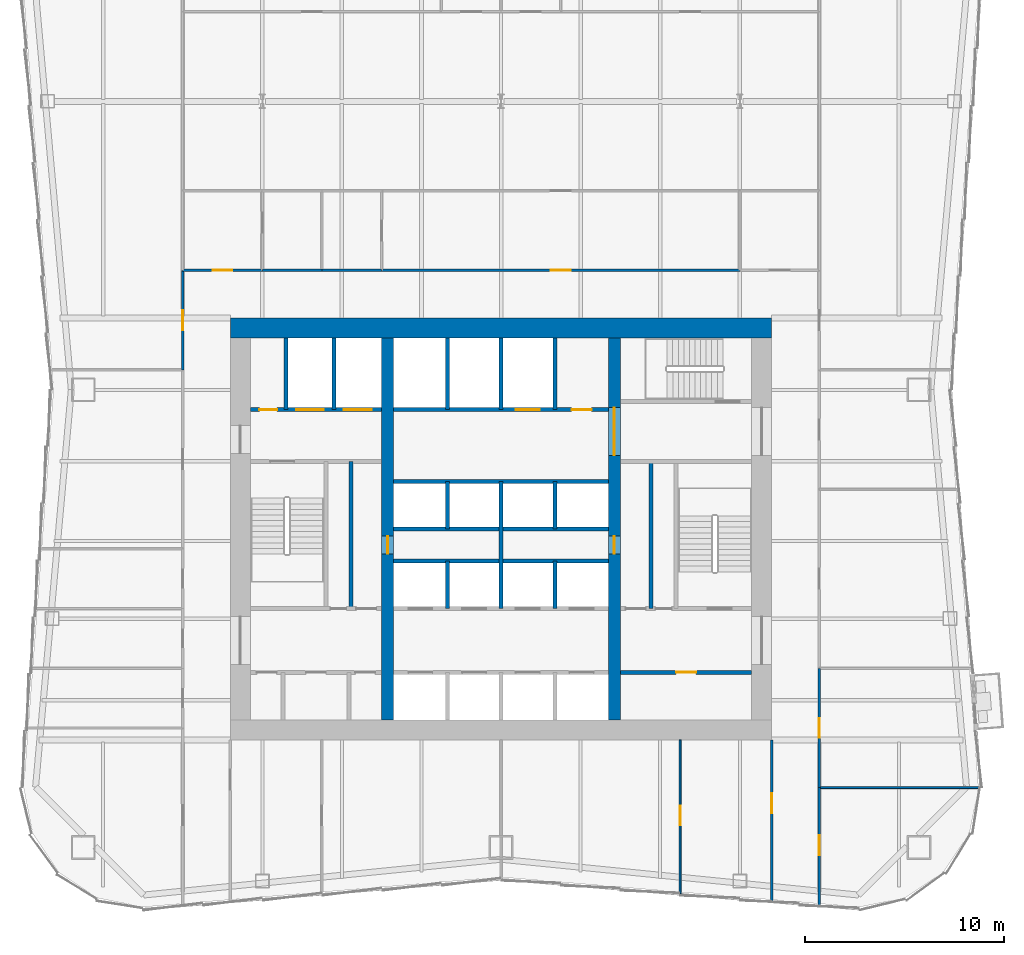
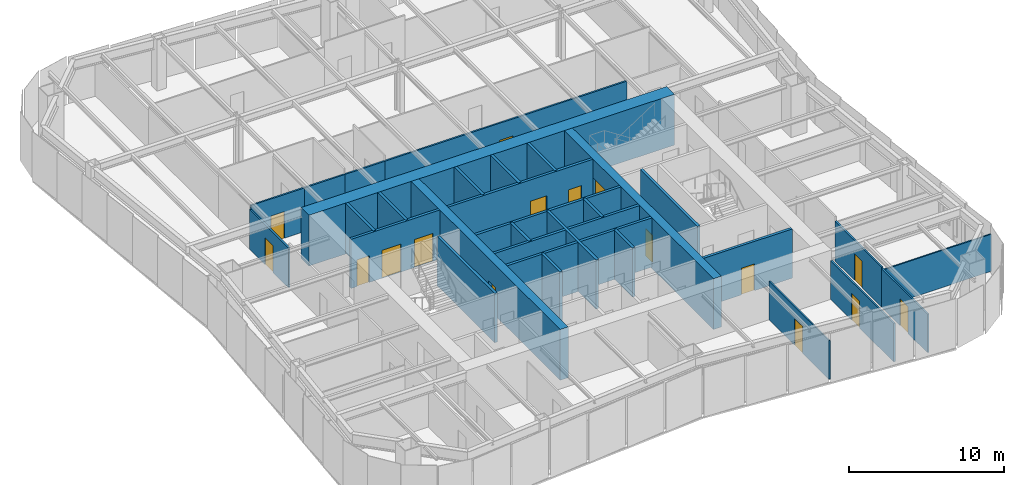
# One storey, part 5 of 9: 31 walls, 16 doors, 16 openings.
"""IFC4 building model written with IfcOpenShell, lengths in metres."""

import ifcopenshell
import ifcopenshell.guid

model = None  # the IFC model being written
_history = None  # IfcOwnerHistory: only IFC2X3 demands one
_inside = {}  # id of a spatial element -> (the spatial element, [elements in it])
_under = {}  # id of a project, library or spatial element -> (it, [spatial elements below it])
_declared = {}  # id of a project -> (the project, [libraries it declares])
_typed = {}  # id of a type object -> (the type object, [elements of that type])
_made_of = {}  # id of a material, layer set ... -> (it, [elements and type objects made of it])


def new_model(schema):
    """Start an empty IFC model of exactly this schema.

    Asked for "IFC4X3", IfcOpenShell would pick the latest addendum, in which some entities
    have other attributes; the version numbers below select the first issue.
    IFC2X3 requires an IfcOwnerHistory on every rooted entity: one is made here for all.
    """
    global model, _history
    if schema == "IFC4X3":
        model = ifcopenshell.file(schema_version=(4, 3, 0, 0))
    else:
        model = ifcopenshell.file(schema=schema)
    _inside.clear()
    _under.clear()
    _declared.clear()
    _typed.clear()
    _made_of.clear()
    _history = None
    if model.schema == "IFC2X3":
        org = make("IfcOrganization", Name="unknown")
        user = make(
            "IfcPersonAndOrganization",
            ThePerson=make("IfcPerson", FamilyName="unknown"),
            TheOrganization=org,
        )
        app = make(
            "IfcApplication",
            ApplicationDeveloper=org,
            Version="unknown",
            ApplicationFullName="unknown",
            ApplicationIdentifier="unknown",
        )
        _history = make(
            "IfcOwnerHistory",
            OwningUser=user,
            OwningApplication=app,
            ChangeAction="ADDED",
            CreationDate=0,
        )
    return model


def make(cls, **values):
    """One entity of the class cls with the attributes given. An attribute that is None is left unset."""
    return model.create_entity(
        cls, **{name: value for name, value in values.items() if value is not None}
    )


def rooted(cls, **values):
    """An entity with a GlobalId (a new one), such as an element, a storey or a relation."""
    return make(cls, GlobalId=ifcopenshell.guid.new(), OwnerHistory=_history, **values)


def si_unit(unit_type, name, prefix=None):
    """IfcSIUnit, for example si_unit("LENGTHUNIT", "METRE", prefix="MILLI")."""
    return make("IfcSIUnit", UnitType=unit_type, Prefix=prefix, Name=name)


def assignment(units):
    """IfcUnitAssignment: the units of a project."""
    return None if units is None else make("IfcUnitAssignment", Units=units)


def point(xyz):
    """IfcCartesianPoint."""
    return None if xyz is None else make("IfcCartesianPoint", Coordinates=xyz)


def direction(xyz):
    """IfcDirection."""
    return None if xyz is None else make("IfcDirection", DirectionRatios=xyz)


def frame(location, z_axis=None, x_axis=None):
    """IfcAxis2Placement3D, a coordinate frame: its origin and axes. An axis left out is left unset."""
    return make(
        "IfcAxis2Placement3D",
        Location=point(location),
        Axis=direction(z_axis),
        RefDirection=direction(x_axis),
    )


def frame_2d(location, x_axis=None):
    """IfcAxis2Placement2D, a coordinate frame in the plane: its origin and x axis."""
    return make(
        "IfcAxis2Placement2D", Location=point(location), RefDirection=direction(x_axis)
    )


def origin():
    """The frame at (0, 0, 0) with its axes left unset."""
    return frame((0.0, 0.0, 0.0))


def place(relative_to, where):
    """IfcLocalPlacement: puts the frame where relative to a parent placement (None: the world)."""
    return make(
        "IfcLocalPlacement", PlacementRelTo=relative_to, RelativePlacement=where
    )


def context(
    kind, dimensions, precision=None, world=None, true_north=None, identifier=None
):
    """IfcGeometricRepresentationContext, for example the 3D "Model" context."""
    return make(
        "IfcGeometricRepresentationContext",
        ContextIdentifier=identifier,
        ContextType=kind,
        CoordinateSpaceDimension=dimensions,
        Precision=precision,
        WorldCoordinateSystem=world,
        TrueNorth=true_north,
    )


def subcontext(parent, identifier, kind, view, scale=None):
    """IfcGeometricRepresentationSubContext, for example "Body" below "Model"."""
    return make(
        "IfcGeometricRepresentationSubContext",
        ContextIdentifier=identifier,
        ContextType=kind,
        ParentContext=parent,
        TargetScale=scale,
        TargetView=view,
    )


def project(units=None, contexts=None):
    """IfcProject with its units and contexts."""
    return rooted(
        "IfcProject",
        Name="project",
        RepresentationContexts=contexts,
        UnitsInContext=assignment(units),
    )


def spatial(cls, under=None, at=None, **own):
    """A site, building, storey or space (cls), placed at a placement, below another one or the project."""
    s = rooted(cls, ObjectPlacement=at, **own)
    if under is not None:
        _under.setdefault(under.id(), (under, []))[1].append(s)
    return s


def profile(cls, at=None, kind="AREA", **sizes):
    """A parametric profile (cls). Its sizes go by their IFC names, for example OverallWidth=200.0."""
    return make(cls, ProfileType=kind, Position=at, **sizes)


def rectangle(**sizes):
    """IfcRectangleProfileDef."""
    return profile("IfcRectangleProfileDef", **sizes)


def extrude(swept, where, along, depth):
    """IfcExtrudedAreaSolid: the profile swept, set in the frame where, extruded along a direction by depth."""
    return make(
        "IfcExtrudedAreaSolid",
        SweptArea=swept,
        Position=where,
        ExtrudedDirection=direction(along),
        Depth=depth,
    )


def shape(context_of_items, identifier, shape_type, items):
    """IfcShapeRepresentation: the items that make up one representation, for example the "Body"."""
    return make(
        "IfcShapeRepresentation",
        ContextOfItems=context_of_items,
        RepresentationIdentifier=identifier,
        RepresentationType=shape_type,
        Items=items,
    )


def material(Name=None, Category=None):
    """IfcMaterial."""
    return make("IfcMaterial", Name=Name, Category=Category)


def layer(
    of_material, thickness, ventilated=None, Name=None, Category=None, Priority=None
):
    """IfcMaterialLayer: one layer of a wall or slab, of a material (None: an air gap)."""
    return make(
        "IfcMaterialLayer",
        Material=of_material,
        LayerThickness=thickness,
        IsVentilated=ventilated,
        Name=Name,
        Category=Category,
        Priority=Priority,
    )


def layer_set(layers, Name=None):
    """IfcMaterialLayerSet."""
    return make("IfcMaterialLayerSet", MaterialLayers=layers, LayerSetName=Name)


def made_of(thing, what):
    """Note that an element or type object is made of a material, layer set ...; save() writes the relation."""
    if what is not None:
        _made_of.setdefault(what.id(), (what, []))[1].append(thing)
    return thing


def type_object(cls, material=None, **own):
    """A type object (cls), such as IfcWallType, which elements share."""
    return made_of(rooted(cls, **own), material)


def element(
    cls,
    number,
    at=None,
    inside=None,
    cuts=None,
    type_object=None,
    material=None,
    context=None,
    identifier="Body",
    shape_type=None,
    held_by="IfcProductDefinitionShape",
    body=None,
    shapes=None,
    **own,
):
    """One element of the class cls, such as IfcWall. Its Tag is "e" and its number.

    at: its placement. inside: the storey or other place that contains it. cuts: it is an
    opening in that element (IfcRelVoidsElement). A single representation is given by context,
    identifier, shape_type and body (its items); several are given by shapes. held_by: the class
    of the entity that holds the representations. save() writes the other relations.
    """
    e = rooted(cls, Tag="e%d" % number, ObjectPlacement=at, **own)
    if body is not None:
        shapes = [shape(context, identifier, shape_type, body)]
    if shapes is not None:
        e.Representation = make(held_by, Representations=shapes)
    if inside is not None:
        _inside.setdefault(inside.id(), (inside, []))[1].append(e)
    if cuts is not None:
        rooted(
            "IfcRelVoidsElement", RelatingBuildingElement=cuts, RelatedOpeningElement=e
        )
    if type_object is not None:
        _typed.setdefault(type_object.id(), (type_object, []))[1].append(e)
    return made_of(e, material)


def fill(opening, filler):
    """IfcRelFillsElement: the door or window that sits in an opening."""
    return rooted(
        "IfcRelFillsElement",
        RelatingOpeningElement=opening,
        RelatedBuildingElement=filler,
    )


def aggregate(whole, parts):
    """IfcRelAggregates: a whole, such as a stair, and the parts it consists of."""
    return rooted("IfcRelAggregates", RelatingObject=whole, RelatedObjects=parts)


def save(model, path):
    """Write the relations noted so far, then the file.

    IfcRelAggregates (storeys below a building ...), IfcRelContainedInSpatialStructure (elements
    in a storey), IfcRelDefinesByType, IfcRelAssociatesMaterial and IfcRelDeclares: one each for
    every whole, place, type object, material and project.
    """
    for whole, parts in _under.values():
        aggregate(whole, parts)
    for where, things in _inside.values():
        rooted(
            "IfcRelContainedInSpatialStructure",
            RelatedElements=things,
            RelatingStructure=where,
        )
    for kind, things in _typed.values():
        rooted("IfcRelDefinesByType", RelatedObjects=things, RelatingType=kind)
    for what, things in _made_of.values():
        rooted("IfcRelAssociatesMaterial", RelatedObjects=things, RelatingMaterial=what)
    for by, libraries in _declared.values():
        rooted("IfcRelDeclares", RelatingContext=by, RelatedDefinitions=libraries)
    model.write(path)


model = new_model("IFC4")

# Units and contexts
model_context = context("Model", 3, precision=1e-05, world=origin(), true_north=direction((0.0, 1.0)))
body_context = subcontext(model_context, "Body", "Model", "MODEL_VIEW")
ifc_project = project(units=[si_unit("LENGTHUNIT", "METRE"), si_unit("AREAUNIT", "SQUARE_METRE"), si_unit("VOLUMEUNIT", "CUBIC_METRE"), si_unit("PLANEANGLEUNIT", "RADIAN"), si_unit("MASSUNIT", "GRAM", prefix="KILO")], contexts=[model_context])

# Site, building, storey
site_placement = place(None, origin())
site = spatial("IfcSite", under=ifc_project, at=site_placement, CompositionType="ELEMENT")
building_placement = place(site_placement, origin())
building = spatial("IfcBuilding", under=site, at=building_placement, Name="Verdant Reach Tower", CompositionType="ELEMENT")
storey_placement = place(building_placement, frame((0.0, 0.0, 130.0)))
storey = spatial("IfcBuildingStorey", under=building, at=storey_placement, Name="L29", CompositionType="ELEMENT", Elevation=130.0)

# Wall, opening, door
ifc_material_1 = material(Name="Gypsum board on steel studs", Category="steel")
ifc_layer_1 = layer(ifc_material_1, 0.199951171875)
ifc_layer_set_1 = layer_set([ifc_layer_1], Name="CO-WALL-ROOM")
wall_type_1 = type_object("IfcWallType", Name="CO-WALL-ROOM", PredefinedType="PARTITIONING", material=ifc_layer_set_1)
wall_1_placement = place(storey_placement, frame((6.0, 20.800048828125, 0.0), z_axis=(0.0, 0.0, 1.0), x_axis=(1.0, 0.0, 0.0)))
wall_1 = element("IfcWall", 1, at=wall_1_placement, inside=storey, type_object=wall_type_1, Name="Core partition, L29", PredefinedType="PARTITIONING", context=body_context, shape_type="SweptSolid", body=[
    extrude(rectangle(XDim=6.60009765625, YDim=0.199951171875, at=frame_2d((3.300048828125, 0.0))), origin(), (0.0, 0.0, 1.0), 3.8701171875),
])
opening_1_placement = place(wall_1_placement, frame((2.800048828125, 0.0, 0.0)))
opening_1 = element("IfcOpeningElement", 2, at=opening_1_placement, cuts=wall_1, Name="Opening CD", PredefinedType="OPENING", context=body_context, shape_type="SweptSolid", body=[
    extrude(rectangle(XDim=1.0, YDim=2.10009765625, at=frame_2d((0.5, 1.050048828125))), frame((0.0, 0.10986328125, 0.0), z_axis=(0.0, -1.0, 0.0), x_axis=(1.0, 0.0, 0.0)), (0.0, 0.0, 1.0), 0.219970703125),
])
ifc_material_2 = material(Name="Timber", Category="wood")
door_type_1 = type_object("IfcDoorType", Name="CO-DOOR-ROOM", OperationType="NOTDEFINED", PredefinedType="DOOR", material=ifc_material_2)
door_1_placement = place(opening_1_placement, origin())
door_1 = element("IfcDoor", 3, at=door_1_placement, inside=storey, type_object=door_type_1, Name="Core room door, L29", OperationType="SINGLE_SWING_RIGHT", OverallHeight=2.10009765625, OverallWidth=1.0, PredefinedType="DOOR", context=body_context, shape_type="SweptSolid", body=[
    extrude(rectangle(XDim=1.0, YDim=2.10009765625, at=frame_2d((0.5, 1.050048828125))), frame((0.0, 0.02490234375, 0.0), z_axis=(0.0, -1.0, 0.0), x_axis=(1.0, 0.0, 0.0)), (0.0, 0.0, 1.0), 0.050048828125),
])
fill(opening_1, door_1)

# Walls
for number, where, z_axis, x_axis, name in (
    (4, (-7.5400390625, 24.0, 0.0), (0.0, 0.0, 1.0), (0.0, 1.0, 0.0), "Core partition, L29"),
    (5, (7.5400390625, 24.0, 0.0), (0.0, 0.0, 1.0), (0.0, 1.0, 0.0), "Core partition, L29"),
):
    element("IfcWall", number, at=place(storey_placement, frame(where, z_axis=z_axis, x_axis=x_axis)), inside=storey, type_object=wall_type_1, Name=name, PredefinedType="PARTITIONING", context=body_context, shape_type="SweptSolid", body=[
        extrude(rectangle(XDim=7.39990234375, YDim=0.199951171875, at=frame_2d((3.699951171875, 0.0))), origin(), (0.0, 0.0, 1.0), 3.8701171875),
    ])
ifc_material_3 = material(Name="Concrete C40/50", Category="concrete")
ifc_layer_2 = layer(ifc_material_3, 0.199951171875)
ifc_layer_set_2 = layer_set([ifc_layer_2], Name="CO-WALL-SHAFT")
wall_type_2 = type_object("IfcWallType", Name="CO-WALL-SHAFT", PredefinedType="PARTITIONING", material=ifc_layer_set_2)
for number, where, z_axis, x_axis, name in (
    (6, (-5.39990234375, 26.39990234375, 0.0), (0.0, 0.0, 1.0), (1.0, 0.0, 0.0), "Lift shaft wall, L29"),
    (7, (-5.39990234375, 28.0, 0.0), (0.0, 0.0, 1.0), (1.0, 0.0, 0.0), "Lift shaft wall, L29"),
    (8, (-5.39990234375, 30.39990234375, 0.0), (0.0, 0.0, 1.0), (1.0, 0.0, 0.0), "Lift shaft wall, L29"),
):
    element("IfcWall", number, at=place(storey_placement, frame(where, z_axis=z_axis, x_axis=x_axis)), inside=storey, type_object=wall_type_2, Name=name, PredefinedType="PARTITIONING", context=body_context, shape_type="SweptSolid", body=[
        extrude(rectangle(XDim=10.7998046875, YDim=0.199951171875, at=frame_2d((5.39990234375, 0.0))), origin(), (0.0, 0.0, 1.0), 3.8701171875),
    ])

# Wall, openings, doors
wall_2_placement = place(storey_placement, frame((-12.60009765625, 34.0, 0.0), z_axis=(0.0, 0.0, 1.0), x_axis=(1.0, 0.0, 0.0)))
wall_2 = element("IfcWall", 9, at=wall_2_placement, inside=storey, type_object=wall_type_2, Name="Lift shaft wall, L29", PredefinedType="PARTITIONING", context=body_context, shape_type="SweptSolid", body=[
    extrude(rectangle(XDim=6.60009765625, YDim=0.199951171875, at=frame_2d((3.300048828125, 0.0))), origin(), (0.0, 0.0, 1.0), 3.8701171875),
])
opening_2_placement = place(wall_2_placement, frame((4.699951171875, 0.0, 0.0)))
opening_2 = element("IfcOpeningElement", 10, at=opening_2_placement, cuts=wall_2, Name="Opening LD-F1", PredefinedType="OPENING", context=body_context, shape_type="SweptSolid", body=[
    extrude(rectangle(XDim=1.39990234375, YDim=2.199951171875, at=frame_2d((0.699951171875, 1.10009765625))), frame((0.0, 0.10986328125, 0.0), z_axis=(0.0, -1.0, 0.0), x_axis=(1.0, 0.0, 0.0)), (0.0, 0.0, 1.0), 0.219970703125),
])
opening_3_placement = place(wall_2_placement, frame((2.300048828125, 0.0, 0.0)))
opening_3 = element("IfcOpeningElement", 11, at=opening_3_placement, cuts=wall_2, Name="Opening LD-F2", PredefinedType="OPENING", context=body_context, shape_type="SweptSolid", body=[
    extrude(rectangle(XDim=1.39990234375, YDim=2.199951171875, at=frame_2d((0.699951171875, 1.10009765625))), frame((0.0, 0.10986328125, 0.0), z_axis=(0.0, -1.0, 0.0), x_axis=(1.0, 0.0, 0.0)), (0.0, 0.0, 1.0), 0.219970703125),
])
opening_4_placement = place(wall_2_placement, frame((0.449951171875, 0.0, 0.0)))
opening_4 = element("IfcOpeningElement", 12, at=opening_4_placement, cuts=wall_2, Name="Opening RD", PredefinedType="OPENING", context=body_context, shape_type="SweptSolid", body=[
    extrude(rectangle(XDim=0.89990234375, YDim=2.10009765625, at=frame_2d((0.449951171875, 1.050048828125))), frame((0.0, 0.10986328125, 0.0), z_axis=(0.0, -1.0, 0.0), x_axis=(1.0, 0.0, 0.0)), (0.0, 0.0, 1.0), 0.219970703125),
])
ifc_material_4 = material(Name="Stainless steel", Category="steel")
door_type_2 = type_object("IfcDoorType", Name="CO-DOOR-LANDING-FF", OperationType="SLIDING_TO_LEFT", PredefinedType="DOOR", material=ifc_material_4)
door_2_placement = place(opening_2_placement, origin())
door_2 = element("IfcDoor", 13, at=door_2_placement, inside=storey, type_object=door_type_2, Name="Landing door F1, L29", OperationType="SLIDING_TO_LEFT", OverallHeight=2.199951171875, OverallWidth=1.39990234375, PredefinedType="DOOR", context=body_context, shape_type="SweptSolid", body=[
    extrude(rectangle(XDim=1.39990234375, YDim=2.199951171875, at=frame_2d((0.699951171875, 1.10009765625))), frame((0.0, 0.02490234375, 0.0), z_axis=(0.0, -1.0, 0.0), x_axis=(1.0, 0.0, 0.0)), (0.0, 0.0, 1.0), 0.050048828125),
])
fill(opening_2, door_2)
door_3_placement = place(opening_3_placement, origin())
door_3 = element("IfcDoor", 14, at=door_3_placement, inside=storey, type_object=door_type_2, Name="Landing door F2, L29", OperationType="SLIDING_TO_LEFT", OverallHeight=2.199951171875, OverallWidth=1.39990234375, PredefinedType="DOOR", context=body_context, shape_type="SweptSolid", body=[
    extrude(rectangle(XDim=1.39990234375, YDim=2.199951171875, at=frame_2d((0.699951171875, 1.10009765625))), frame((0.0, 0.02490234375, 0.0), z_axis=(0.0, -1.0, 0.0), x_axis=(1.0, 0.0, 0.0)), (0.0, 0.0, 1.0), 0.050048828125),
])
fill(opening_3, door_3)
ifc_material_5 = material(Name="Steel", Category="steel")
door_type_3 = type_object("IfcDoorType", Name="CO-DOOR-RISER", OperationType="NOTDEFINED", PredefinedType="DOOR", material=ifc_material_5)
door_4_placement = place(opening_4_placement, origin())
door_4 = element("IfcDoor", 15, at=door_4_placement, inside=storey, type_object=door_type_3, Name="Core room door, L29", OperationType="SINGLE_SWING_RIGHT", OverallHeight=2.10009765625, OverallWidth=0.89990234375, PredefinedType="DOOR", context=body_context, shape_type="SweptSolid", body=[
    extrude(rectangle(XDim=0.89990234375, YDim=2.10009765625, at=frame_2d((0.449951171875, 1.050048828125))), frame((0.0, 0.02490234375, 0.0), z_axis=(0.0, -1.0, 0.0), x_axis=(1.0, 0.0, 0.0)), (0.0, 0.0, 1.0), 0.050048828125),
])
fill(opening_4, door_4)

wall_3_placement = place(storey_placement, frame((-5.39990234375, 34.0, 0.0), z_axis=(0.0, 0.0, 1.0), x_axis=(1.0, 0.0, 0.0)))
wall_3 = element("IfcWall", 16, at=wall_3_placement, inside=storey, type_object=wall_type_2, Name="Lift shaft wall, L29", PredefinedType="PARTITIONING", context=body_context, shape_type="SweptSolid", body=[
    extrude(rectangle(XDim=10.7998046875, YDim=0.199951171875, at=frame_2d((5.39990234375, 0.0))), origin(), (0.0, 0.0, 1.0), 3.8701171875),
])
opening_5_placement = place(wall_3_placement, frame((6.14990234375, 0.0, 0.0)))
opening_5 = element("IfcOpeningElement", 17, at=opening_5_placement, cuts=wall_3, Name="Opening LD-SL1", PredefinedType="OPENING", context=body_context, shape_type="SweptSolid", body=[
    extrude(rectangle(XDim=1.199951171875, YDim=2.199951171875, at=frame_2d((0.60009765625, 1.10009765625))), frame((0.0, 0.10986328125, 0.0), z_axis=(0.0, -1.0, 0.0), x_axis=(1.0, 0.0, 0.0)), (0.0, 0.0, 1.0), 0.219970703125),
])
opening_6_placement = place(wall_3_placement, frame((8.949951171875, 0.0, 0.0)))
opening_6 = element("IfcOpeningElement", 18, at=opening_6_placement, cuts=wall_3, Name="Opening CD", PredefinedType="OPENING", context=body_context, shape_type="SweptSolid", body=[
    extrude(rectangle(XDim=1.0, YDim=2.10009765625, at=frame_2d((0.5, 1.050048828125))), frame((0.0, 0.10986328125, 0.0), z_axis=(0.0, -1.0, 0.0), x_axis=(1.0, 0.0, 0.0)), (0.0, 0.0, 1.0), 0.219970703125),
])
door_type_4 = type_object("IfcDoorType", Name="CO-DOOR-LANDING", OperationType="SLIDING_TO_LEFT", PredefinedType="DOOR", material=ifc_material_4)
door_5_placement = place(opening_5_placement, origin())
door_5 = element("IfcDoor", 19, at=door_5_placement, inside=storey, type_object=door_type_4, Name="Landing door SL1, L29", OperationType="SLIDING_TO_LEFT", OverallHeight=2.199951171875, OverallWidth=1.199951171875, PredefinedType="DOOR", context=body_context, shape_type="SweptSolid", body=[
    extrude(rectangle(XDim=1.199951171875, YDim=2.199951171875, at=frame_2d((0.60009765625, 1.10009765625))), frame((0.0, 0.02490234375, 0.0), z_axis=(0.0, -1.0, 0.0), x_axis=(1.0, 0.0, 0.0)), (0.0, 0.0, 1.0), 0.050048828125),
])
fill(opening_5, door_5)
door_6_placement = place(opening_6_placement, origin())
door_6 = element("IfcDoor", 20, at=door_6_placement, inside=storey, type_object=door_type_1, Name="Core room door, L29", OperationType="SINGLE_SWING_LEFT", OverallHeight=2.10009765625, OverallWidth=1.0, PredefinedType="DOOR", context=body_context, shape_type="SweptSolid", body=[
    extrude(rectangle(XDim=1.0, YDim=2.10009765625, at=frame_2d((0.5, 1.050048828125))), frame((0.0, 0.02490234375, 0.0), z_axis=(0.0, -1.0, 0.0), x_axis=(1.0, 0.0, 0.0)), (0.0, 0.0, 1.0), 0.050048828125),
])
fill(opening_6, door_6)

# Walls
for number, where, z_axis, x_axis, name in (
    (21, (-10.800048828125, 34.0, 0.0), (0.0, 0.0, 1.0), (0.0, 1.0, 0.0), "Lift shaft wall, L29"),
    (22, (-8.39990234375, 34.0, 0.0), (0.0, 0.0, 1.0), (0.0, 1.0, 0.0), "Lift shaft wall, L29"),
):
    element("IfcWall", number, at=place(storey_placement, frame(where, z_axis=z_axis, x_axis=x_axis)), inside=storey, type_object=wall_type_2, Name=name, PredefinedType="PARTITIONING", context=body_context, shape_type="SweptSolid", body=[
        extrude(rectangle(XDim=3.60009765625, YDim=0.199951171875, at=frame_2d((1.800048828125, 0.0))), origin(), (0.0, 0.0, 1.0), 3.8701171875),
    ])
for number, where, z_axis, x_axis, name in (
    (23, (-2.699951171875, 24.0, 0.0), (0.0, 0.0, 1.0), (0.0, 1.0, 0.0), "Lift shaft wall, L29"),
    (24, (-2.699951171875, 28.0, 0.0), (0.0, 0.0, 1.0), (0.0, 1.0, 0.0), "Lift shaft wall, L29"),
):
    element("IfcWall", number, at=place(storey_placement, frame(where, z_axis=z_axis, x_axis=x_axis)), inside=storey, type_object=wall_type_2, Name=name, PredefinedType="PARTITIONING", context=body_context, shape_type="SweptSolid", body=[
        extrude(rectangle(XDim=2.39990234375, YDim=0.199951171875, at=frame_2d((1.199951171875, 0.0))), origin(), (0.0, 0.0, 1.0), 3.8701171875),
    ])
wall_4_placement = place(storey_placement, frame((-2.699951171875, 34.0, 0.0), z_axis=(0.0, 0.0, 1.0), x_axis=(0.0, 1.0, 0.0)))
element("IfcWall", 25, at=wall_4_placement, inside=storey, type_object=wall_type_2, Name="Lift shaft wall, L29", PredefinedType="PARTITIONING", context=body_context, shape_type="SweptSolid", body=[
    extrude(rectangle(XDim=3.60009765625, YDim=0.199951171875, at=frame_2d((1.800048828125, 0.0))), origin(), (0.0, 0.0, 1.0), 3.8701171875),
])
wall_5_placement = place(storey_placement, frame((0.0, 24.0, 0.0), z_axis=(0.0, 0.0, 1.0), x_axis=(0.0, 1.0, 0.0)))
element("IfcWall", 26, at=wall_5_placement, inside=storey, type_object=wall_type_2, Name="Lift shaft wall, L29", PredefinedType="PARTITIONING", context=body_context, shape_type="SweptSolid", body=[
    extrude(rectangle(XDim=6.39990234375, YDim=0.199951171875, at=frame_2d((3.199951171875, 0.0))), origin(), (0.0, 0.0, 1.0), 3.8701171875),
])
wall_6_placement = place(storey_placement, frame((0.0, 34.0, 0.0), z_axis=(0.0, 0.0, 1.0), x_axis=(0.0, 1.0, 0.0)))
element("IfcWall", 27, at=wall_6_placement, inside=storey, type_object=wall_type_2, Name="Lift shaft wall, L29", PredefinedType="PARTITIONING", context=body_context, shape_type="SweptSolid", body=[
    extrude(rectangle(XDim=3.60009765625, YDim=0.199951171875, at=frame_2d((1.800048828125, 0.0))), origin(), (0.0, 0.0, 1.0), 3.8701171875),
])
for number, where, z_axis, x_axis, name in (
    (28, (2.699951171875, 24.0, 0.0), (0.0, 0.0, 1.0), (0.0, 1.0, 0.0), "Lift shaft wall, L29"),
    (29, (2.699951171875, 28.0, 0.0), (0.0, 0.0, 1.0), (0.0, 1.0, 0.0), "Lift shaft wall, L29"),
):
    element("IfcWall", number, at=place(storey_placement, frame(where, z_axis=z_axis, x_axis=x_axis)), inside=storey, type_object=wall_type_2, Name=name, PredefinedType="PARTITIONING", context=body_context, shape_type="SweptSolid", body=[
        extrude(rectangle(XDim=2.39990234375, YDim=0.199951171875, at=frame_2d((1.199951171875, 0.0))), origin(), (0.0, 0.0, 1.0), 3.8701171875),
    ])
wall_7_placement = place(storey_placement, frame((2.699951171875, 34.0, 0.0), z_axis=(0.0, 0.0, 1.0), x_axis=(0.0, 1.0, 0.0)))
element("IfcWall", 30, at=wall_7_placement, inside=storey, type_object=wall_type_2, Name="Lift shaft wall, L29", PredefinedType="PARTITIONING", context=body_context, shape_type="SweptSolid", body=[
    extrude(rectangle(XDim=3.60009765625, YDim=0.199951171875, at=frame_2d((1.800048828125, 0.0))), origin(), (0.0, 0.0, 1.0), 3.8701171875),
])
ifc_layer_3 = layer(ifc_material_1, 0.10009765625)
ifc_layer_set_3 = layer_set([ifc_layer_3], Name="FL-W1 Partition 100")
wall_type_3 = type_object("IfcWallType", Name="FL-W1 Partition 100", PredefinedType="PARTITIONING", material=ifc_layer_set_3)
wall_8_placement = place(storey_placement, frame((24.080078125, 15.0, 0.0), z_axis=(0.0, 0.0, 1.0), x_axis=(-1.0, 0.0, 0.0)))
element("IfcWall", 31, at=wall_8_placement, inside=storey, type_object=wall_type_3, Name="Partition 29.27", PredefinedType="PARTITIONING", context=body_context, shape_type="SweptSolid", body=[
    extrude(rectangle(XDim=8.080078125, YDim=0.10009765625, at=frame_2d((4.0400390625, 0.0))), origin(), (0.0, 0.0, 1.0), 2.929931640625),
])

# Wall, opening, door
wall_9_placement = place(storey_placement, frame((9.0, 9.669921875, 0.0), z_axis=(0.0, 0.0, 1.0), x_axis=(0.0, 1.0, 0.0)))
wall_9 = element("IfcWall", 32, at=wall_9_placement, inside=storey, type_object=wall_type_3, Name="Partition 29.36", PredefinedType="PARTITIONING", context=body_context, shape_type="SweptSolid", body=[
    extrude(rectangle(XDim=7.72998046875, YDim=0.10009765625, at=frame_2d((3.864990234375, 0.0))), origin(), (0.0, 0.0, 1.0), 3.0400390625),
])
opening_7_placement = place(wall_9_placement, frame((3.43017578125, 0.0, 0.0)))
opening_7 = element("IfcOpeningElement", 33, at=opening_7_placement, cuts=wall_9, Name="Opening D3", PredefinedType="OPENING", context=body_context, shape_type="SweptSolid", body=[
    extrude(rectangle(XDim=1.0, YDim=2.10009765625, at=frame_2d((0.5, 1.050048828125))), frame((0.0, 0.06005859375, 0.0), z_axis=(0.0, -1.0, 0.0), x_axis=(1.0, 0.0, 0.0)), (0.0, 0.0, 1.0), 0.1201171875),
])
ifc_material_6 = material(Name="Painted timber door leaf", Category="wood")
door_type_5 = type_object("IfcDoorType", Name="FL-D3 Door 1000x2100", OperationType="NOTDEFINED", PredefinedType="DOOR", material=ifc_material_6)
door_7_placement = place(opening_7_placement, origin())
door_7 = element("IfcDoor", 34, at=door_7_placement, inside=storey, type_object=door_type_5, Name="Door 29-018", OperationType="SINGLE_SWING_RIGHT", OverallHeight=2.10009765625, OverallWidth=1.0, PredefinedType="DOOR", context=body_context, shape_type="SweptSolid", body=[
    extrude(rectangle(XDim=1.0, YDim=2.10009765625, at=frame_2d((0.5, 1.050048828125))), frame((0.0, 0.02490234375, 0.0), z_axis=(0.0, -1.0, 0.0), x_axis=(1.0, 0.0, 0.0)), (0.0, 0.0, 1.0), 0.050048828125),
])
fill(opening_7, door_7)

ifc_material_7 = material(Name="Gypsum board on steel studs, fire rated", Category="steel")
ifc_layer_4 = layer(ifc_material_7, 0.125)
ifc_layer_set_4 = layer_set([ifc_layer_4], Name="FL-W2 Corridor wall 125")
wall_type_4 = type_object("IfcWallType", Name="FL-W2 Corridor wall 125", PredefinedType="PARTITIONING", material=ifc_layer_set_4)
wall_10_placement = place(storey_placement, frame((-16.0, 36.0, 0.0), z_axis=(0.0, 0.0, 1.0), x_axis=(0.0, 1.0, 0.0)))
wall_10 = element("IfcWall", 35, at=wall_10_placement, inside=storey, type_object=wall_type_4, Name="Partition 29.06", PredefinedType="PARTITIONING", context=body_context, shape_type="SweptSolid", body=[
    extrude(rectangle(XDim=5.00390625, YDim=0.125, at=frame_2d((2.501953125, 0.0))), origin(), (0.0, 0.0, 1.0), 3.139892578125),
])
opening_8_placement = place(wall_10_placement, frame((2.001953125, 0.0, 0.0)))
opening_8 = element("IfcOpeningElement", 36, at=opening_8_placement, cuts=wall_10, Name="Opening D2", PredefinedType="OPENING", context=body_context, shape_type="SweptSolid", body=[
    extrude(rectangle(XDim=1.0, YDim=2.10009765625, at=frame_2d((0.5, 1.050048828125))), frame((0.0, 0.072509765625, 0.0), z_axis=(0.0, -1.0, 0.0), x_axis=(1.0, 0.0, 0.0)), (0.0, 0.0, 1.0), 0.14501953125),
])
ifc_material_8 = material(Name="Timber door leaf, fire rated", Category="wood")
door_type_6 = type_object("IfcDoorType", Name="FL-D2 Entrance door 1000x2100 FD30", OperationType="NOTDEFINED", PredefinedType="DOOR", material=ifc_material_8)
door_8_placement = place(opening_8_placement, origin())
door_8 = element("IfcDoor", 37, at=door_8_placement, inside=storey, type_object=door_type_6, Name="Door 29-006", OperationType="SINGLE_SWING_RIGHT", OverallHeight=2.10009765625, OverallWidth=1.0, PredefinedType="DOOR", context=body_context, shape_type="SweptSolid", body=[
    extrude(rectangle(XDim=1.0, YDim=2.10009765625, at=frame_2d((0.5, 1.050048828125))), frame((0.0, 0.02490234375, 0.0), z_axis=(0.0, -1.0, 0.0), x_axis=(1.0, 0.0, 0.0)), (0.0, 0.0, 1.0), 0.050048828125),
])
fill(opening_8, door_8)

wall_11_placement = place(storey_placement, frame((16.0, 15.0, 0.0), z_axis=(0.0, 0.0, 1.0), x_axis=(0.0, -1.0, 0.0)))
wall_11 = element("IfcWall", 38, at=wall_11_placement, inside=storey, type_object=wall_type_4, Name="Partition 29.07", PredefinedType="PARTITIONING", context=body_context, shape_type="SweptSolid", body=[
    extrude(rectangle(XDim=5.913330078125, YDim=0.125, at=frame_2d((2.95654296875, 0.0))), origin(), (0.0, 0.0, 1.0), 3.0400390625),
])
opening_9_placement = place(wall_11_placement, frame((2.3916015625, 0.0, 0.0)))
opening_9 = element("IfcOpeningElement", 39, at=opening_9_placement, cuts=wall_11, Name="Opening D2", PredefinedType="OPENING", context=body_context, shape_type="SweptSolid", body=[
    extrude(rectangle(XDim=1.0, YDim=2.10009765625, at=frame_2d((0.5, 1.050048828125))), frame((0.0, 0.072509765625, 0.0), z_axis=(0.0, -1.0, 0.0), x_axis=(1.0, 0.0, 0.0)), (0.0, 0.0, 1.0), 0.14501953125),
])
door_9_placement = place(opening_9_placement, origin())
door_9 = element("IfcDoor", 40, at=door_9_placement, inside=storey, type_object=door_type_6, Name="Door 29-007", OperationType="SINGLE_SWING_LEFT", OverallHeight=2.10009765625, OverallWidth=1.0, PredefinedType="DOOR", context=body_context, shape_type="SweptSolid", body=[
    extrude(rectangle(XDim=1.0, YDim=2.10009765625, at=frame_2d((0.5, 1.050048828125))), frame((0.0, 0.02490234375, 0.0), z_axis=(0.0, -1.0, 0.0), x_axis=(1.0, 0.0, 0.0)), (0.0, 0.0, 1.0), 0.050048828125),
])
fill(opening_9, door_9)

wall_12_placement = place(storey_placement, frame((16.0, 21.0, 0.0), z_axis=(0.0, 0.0, 1.0), x_axis=(0.0, -1.0, 0.0)))
wall_12 = element("IfcWall", 41, at=wall_12_placement, inside=storey, type_object=wall_type_4, Name="Partition 29.08", PredefinedType="PARTITIONING", context=body_context, shape_type="SweptSolid", body=[
    extrude(rectangle(XDim=6.0, YDim=0.125, at=frame_2d((3.0, 0.0))), origin(), (0.0, 0.0, 1.0), 3.139892578125),
])
opening_10_placement = place(wall_12_placement, frame((2.5, 0.0, 0.0)))
opening_10 = element("IfcOpeningElement", 42, at=opening_10_placement, cuts=wall_12, Name="Opening D2", PredefinedType="OPENING", context=body_context, shape_type="SweptSolid", body=[
    extrude(rectangle(XDim=1.0, YDim=2.10009765625, at=frame_2d((0.5, 1.050048828125))), frame((0.0, 0.072509765625, 0.0), z_axis=(0.0, -1.0, 0.0), x_axis=(1.0, 0.0, 0.0)), (0.0, 0.0, 1.0), 0.14501953125),
])
door_10_placement = place(opening_10_placement, origin())
door_10 = element("IfcDoor", 43, at=door_10_placement, inside=storey, type_object=door_type_6, Name="Door 29-008", OperationType="SINGLE_SWING_RIGHT", OverallHeight=2.10009765625, OverallWidth=1.0, PredefinedType="DOOR", context=body_context, shape_type="SweptSolid", body=[
    extrude(rectangle(XDim=1.0, YDim=2.10009765625, at=frame_2d((0.5, 1.050048828125))), frame((0.0, 0.02490234375, 0.0), z_axis=(0.0, -1.0, 0.0), x_axis=(1.0, 0.0, 0.0)), (0.0, 0.0, 1.0), 0.050048828125),
])
fill(opening_10, door_10)

wall_13_placement = place(storey_placement, frame((13.60009765625, 9.28662109375, 0.0), z_axis=(0.0, 0.0, 1.0), x_axis=(0.0, 1.0, 0.0)))
wall_13 = element("IfcWall", 44, at=wall_13_placement, inside=storey, type_object=wall_type_4, Name="Partition 29.13", PredefinedType="PARTITIONING", context=body_context, shape_type="SweptSolid", body=[
    extrude(rectangle(XDim=8.11328125, YDim=0.125, at=frame_2d((4.056640625, 0.0))), origin(), (0.0, 0.0, 1.0), 3.0400390625),
])
opening_11_placement = place(wall_13_placement, frame((4.421875, 0.0, 0.0)))
opening_11 = element("IfcOpeningElement", 45, at=opening_11_placement, cuts=wall_13, Name="Opening D2", PredefinedType="OPENING", context=body_context, shape_type="SweptSolid", body=[
    extrude(rectangle(XDim=1.0, YDim=2.10009765625, at=frame_2d((0.5, 1.050048828125))), frame((0.0, 0.072509765625, 0.0), z_axis=(0.0, -1.0, 0.0), x_axis=(1.0, 0.0, 0.0)), (0.0, 0.0, 1.0), 0.14501953125),
])
door_11_placement = place(opening_11_placement, origin())
door_11 = element("IfcDoor", 46, at=door_11_placement, inside=storey, type_object=door_type_6, Name="Door 29-013", OperationType="SINGLE_SWING_RIGHT", OverallHeight=2.10009765625, OverallWidth=1.0, PredefinedType="DOOR", context=body_context, shape_type="SweptSolid", body=[
    extrude(rectangle(XDim=1.0, YDim=2.10009765625, at=frame_2d((0.5, 1.050048828125))), frame((0.0, 0.02490234375, 0.0), z_axis=(0.0, -1.0, 0.0), x_axis=(1.0, 0.0, 0.0)), (0.0, 0.0, 1.0), 0.050048828125),
])
fill(opening_11, door_11)

wall_14_placement = place(storey_placement, frame((-16.0, 41.0, 0.0), z_axis=(0.0, 0.0, 1.0), x_axis=(1.0, 0.0, 0.0)))
wall_14 = element("IfcWall", 47, at=wall_14_placement, inside=storey, type_object=wall_type_4, Name="Partition 29.14", PredefinedType="PARTITIONING", context=body_context, shape_type="SweptSolid", body=[
    extrude(rectangle(XDim=4.0, YDim=0.125, at=frame_2d((2.0, 0.0))), origin(), (0.0, 0.0, 1.0), 3.43994140625),
])
opening_12_placement = place(wall_14_placement, frame((1.5, 0.0, 0.0)))
opening_12 = element("IfcOpeningElement", 48, at=opening_12_placement, cuts=wall_14, Name="Opening D2", PredefinedType="OPENING", context=body_context, shape_type="SweptSolid", body=[
    extrude(rectangle(XDim=1.0, YDim=2.10009765625, at=frame_2d((0.5, 1.050048828125))), frame((0.0, 0.072509765625, 0.0), z_axis=(0.0, -1.0, 0.0), x_axis=(1.0, 0.0, 0.0)), (0.0, 0.0, 1.0), 0.14501953125),
])
door_12_placement = place(opening_12_placement, origin())
door_12 = element("IfcDoor", 49, at=door_12_placement, inside=storey, type_object=door_type_6, Name="Door 29-014", OperationType="SINGLE_SWING_RIGHT", OverallHeight=2.10009765625, OverallWidth=1.0, PredefinedType="DOOR", context=body_context, shape_type="SweptSolid", body=[
    extrude(rectangle(XDim=1.0, YDim=2.10009765625, at=frame_2d((0.5, 1.050048828125))), frame((0.0, 0.02490234375, 0.0), z_axis=(0.0, -1.0, 0.0), x_axis=(1.0, 0.0, 0.0)), (0.0, 0.0, 1.0), 0.050048828125),
])
fill(opening_12, door_12)

# Walls
for number, where, z_axis, x_axis, name in (
    (50, (-9.0, 41.0, 0.0), (0.0, 0.0, 1.0), (-1.0, 0.0, 0.0), "Partition 29.15"),
    (51, (-6.0, 41.0, 0.0), (0.0, 0.0, 1.0), (-1.0, 0.0, 0.0), "Partition 29.16"),
):
    element("IfcWall", number, at=place(storey_placement, frame(where, z_axis=z_axis, x_axis=x_axis)), inside=storey, type_object=wall_type_4, Name=name, PredefinedType="PARTITIONING", context=body_context, shape_type="SweptSolid", body=[
        extrude(rectangle(XDim=3.0, YDim=0.125, at=frame_2d((1.5, 0.0))), origin(), (0.0, 0.0, 1.0), 3.43994140625),
    ])

# Wall, opening, door
wall_15_placement = place(storey_placement, frame((-6.0, 41.0, 0.0), z_axis=(0.0, 0.0, 1.0), x_axis=(1.0, 0.0, 0.0)))
wall_15 = element("IfcWall", 52, at=wall_15_placement, inside=storey, type_object=wall_type_4, Name="Partition 29.17", PredefinedType="PARTITIONING", context=body_context, shape_type="SweptSolid", body=[
    extrude(rectangle(XDim=18.0, YDim=0.125, at=frame_2d((9.0, 0.0))), origin(), (0.0, 0.0, 1.0), 3.43994140625),
])
opening_13_placement = place(wall_15_placement, frame((8.5, 0.0, 0.0)))
opening_13 = element("IfcOpeningElement", 53, at=opening_13_placement, cuts=wall_15, Name="Opening D2", PredefinedType="OPENING", context=body_context, shape_type="SweptSolid", body=[
    extrude(rectangle(XDim=1.0, YDim=2.10009765625, at=frame_2d((0.5, 1.050048828125))), frame((0.0, 0.072509765625, 0.0), z_axis=(0.0, -1.0, 0.0), x_axis=(1.0, 0.0, 0.0)), (0.0, 0.0, 1.0), 0.14501953125),
])
door_13_placement = place(opening_13_placement, origin())
door_13 = element("IfcDoor", 54, at=door_13_placement, inside=storey, type_object=door_type_6, Name="Door 29-015", OperationType="SINGLE_SWING_LEFT", OverallHeight=2.10009765625, OverallWidth=1.0, PredefinedType="DOOR", context=body_context, shape_type="SweptSolid", body=[
    extrude(rectangle(XDim=1.0, YDim=2.10009765625, at=frame_2d((0.5, 1.050048828125))), frame((0.0, 0.02490234375, 0.0), z_axis=(0.0, -1.0, 0.0), x_axis=(1.0, 0.0, 0.0)), (0.0, 0.0, 1.0), 0.050048828125),
])
fill(opening_13, door_13)

# Wall
ifc_material_9 = material(Name="Concrete C70/85", Category="concrete")
ifc_layer_5 = layer(ifc_material_9, 1.0)
ifc_layer_set_5 = layer_set([ifc_layer_5], Name="ST-CORE-WALL-1000")
wall_type_5 = type_object("IfcWallType", Name="ST-CORE-WALL-1000", PredefinedType="SHEAR", material=ifc_layer_set_5)
wall_16_placement = place(storey_placement, frame((-13.60009765625, 38.10009765625, -0.1298828125), z_axis=(0.0, 0.0, 1.0), x_axis=(1.0, 0.0, 0.0)))
element("IfcWall", 55, at=wall_16_placement, inside=storey, type_object=wall_type_5, Name="Core wall N, L29", PredefinedType="SHEAR", context=body_context, shape_type="SweptSolid", body=[
    extrude(rectangle(XDim=27.2001953125, YDim=1.0, at=frame_2d((13.60009765625, 0.0))), origin(), (0.0, 0.0, 1.0), 4.0),
])

# Wall, opening, door
ifc_layer_6 = layer(ifc_material_9, 0.60009765625)
ifc_layer_set_6 = layer_set([ifc_layer_6], Name="ST-CORE-WALL-600")
wall_type_6 = type_object("IfcWallType", Name="ST-CORE-WALL-600", PredefinedType="SHEAR", material=ifc_layer_set_6)
wall_17_placement = place(storey_placement, frame((-5.699951171875, 18.39990234375, -0.1298828125), z_axis=(0.0, 0.0, 1.0), x_axis=(0.0, 1.0, 0.0)))
wall_17 = element("IfcWall", 56, at=wall_17_placement, inside=storey, type_object=wall_type_6, Name="Core wall XW, L29", PredefinedType="SHEAR", context=body_context, shape_type="SweptSolid", body=[
    extrude(rectangle(XDim=19.2001953125, YDim=0.60009765625, at=frame_2d((9.60009765625, 0.0))), origin(), (0.0, 0.0, 1.0), 4.0),
])
opening_14_placement = place(wall_17_placement, frame((8.35009765625, 0.0, 0.1298828125)))
opening_14 = element("IfcOpeningElement", 57, at=opening_14_placement, cuts=wall_17, Name="Opening RD", PredefinedType="OPENING", context=body_context, shape_type="SweptSolid", body=[
    extrude(rectangle(XDim=0.89990234375, YDim=2.10009765625, at=frame_2d((0.449951171875, 1.050048828125))), frame((0.0, 0.31005859375, 0.0), z_axis=(0.0, -1.0, 0.0), x_axis=(1.0, 0.0, 0.0)), (0.0, 0.0, 1.0), 0.6201171875),
])
door_14_placement = place(opening_14_placement, origin())
door_14 = element("IfcDoor", 58, at=door_14_placement, inside=storey, type_object=door_type_3, Name="Riser door, L29", OperationType="SINGLE_SWING_RIGHT", OverallHeight=2.10009765625, OverallWidth=0.89990234375, PredefinedType="DOOR", context=body_context, shape_type="SweptSolid", body=[
    extrude(rectangle(XDim=0.89990234375, YDim=2.10009765625, at=frame_2d((0.449951171875, 1.050048828125))), frame((0.0, 0.02490234375, 0.0), z_axis=(0.0, -1.0, 0.0), x_axis=(1.0, 0.0, 0.0)), (0.0, 0.0, 1.0), 0.050048828125),
])
fill(opening_14, door_14)

# Wall, openings, doors
wall_18_placement = place(storey_placement, frame((5.699951171875, 18.39990234375, -0.1298828125), z_axis=(0.0, 0.0, 1.0), x_axis=(0.0, 1.0, 0.0)))
wall_18 = element("IfcWall", 59, at=wall_18_placement, inside=storey, type_object=wall_type_6, Name="Core wall XE, L29", PredefinedType="SHEAR", context=body_context, shape_type="SweptSolid", body=[
    extrude(rectangle(XDim=19.2001953125, YDim=0.60009765625, at=frame_2d((9.60009765625, 0.0))), origin(), (0.0, 0.0, 1.0), 4.0),
])
opening_15_placement = place(wall_18_placement, frame((8.35009765625, 0.0, 0.1298828125)))
opening_15 = element("IfcOpeningElement", 60, at=opening_15_placement, cuts=wall_18, Name="Opening RD", PredefinedType="OPENING", context=body_context, shape_type="SweptSolid", body=[
    extrude(rectangle(XDim=0.89990234375, YDim=2.10009765625, at=frame_2d((0.449951171875, 1.050048828125))), frame((0.0, 0.31005859375, 0.0), z_axis=(0.0, -1.0, 0.0), x_axis=(1.0, 0.0, 0.0)), (0.0, 0.0, 1.0), 0.6201171875),
])
opening_16_placement = place(wall_18_placement, frame((13.300048828125, 0.0, 0.1298828125)))
opening_16 = element("IfcOpeningElement", 61, at=opening_16_placement, cuts=wall_18, Name="Opening LB", PredefinedType="OPENING", context=body_context, shape_type="SweptSolid", body=[
    extrude(rectangle(XDim=2.39990234375, YDim=2.39990234375, at=frame_2d((1.199951171875, 1.199951171875))), frame((0.0, 0.31005859375, 0.0), z_axis=(0.0, -1.0, 0.0), x_axis=(1.0, 0.0, 0.0)), (0.0, 0.0, 1.0), 0.6201171875),
])
ifc_material_10 = material(Name="Glass and steel", Category="steel")
door_type_7 = type_object("IfcDoorType", Name="CO-DOOR-LOBBY", OperationType="DOUBLE_DOOR_SINGLE_SWING", PredefinedType="DOOR", material=ifc_material_10)
door_15_placement = place(opening_16_placement, origin())
door_15 = element("IfcDoor", 62, at=door_15_placement, inside=storey, type_object=door_type_7, Name="Core entrance door, L29", OperationType="DOUBLE_DOOR_SINGLE_SWING", OverallHeight=2.39990234375, OverallWidth=2.39990234375, PredefinedType="DOOR", context=body_context, shape_type="SweptSolid", body=[
    extrude(rectangle(XDim=2.39990234375, YDim=2.39990234375, at=frame_2d((1.199951171875, 1.199951171875))), frame((0.0, 0.02490234375, 0.0), z_axis=(0.0, -1.0, 0.0), x_axis=(1.0, 0.0, 0.0)), (0.0, 0.0, 1.0), 0.050048828125),
])
fill(opening_16, door_15)
door_16_placement = place(opening_15_placement, origin())
door_16 = element("IfcDoor", 63, at=door_16_placement, inside=storey, type_object=door_type_3, Name="Riser door, L29", OperationType="SINGLE_SWING_LEFT", OverallHeight=2.10009765625, OverallWidth=0.89990234375, PredefinedType="DOOR", context=body_context, shape_type="SweptSolid", body=[
    extrude(rectangle(XDim=0.89990234375, YDim=2.10009765625, at=frame_2d((0.449951171875, 1.050048828125))), frame((0.0, 0.02490234375, 0.0), z_axis=(0.0, -1.0, 0.0), x_axis=(1.0, 0.0, 0.0)), (0.0, 0.0, 1.0), 0.050048828125),
])
fill(opening_15, door_16)

save(model, "model.ifc")
